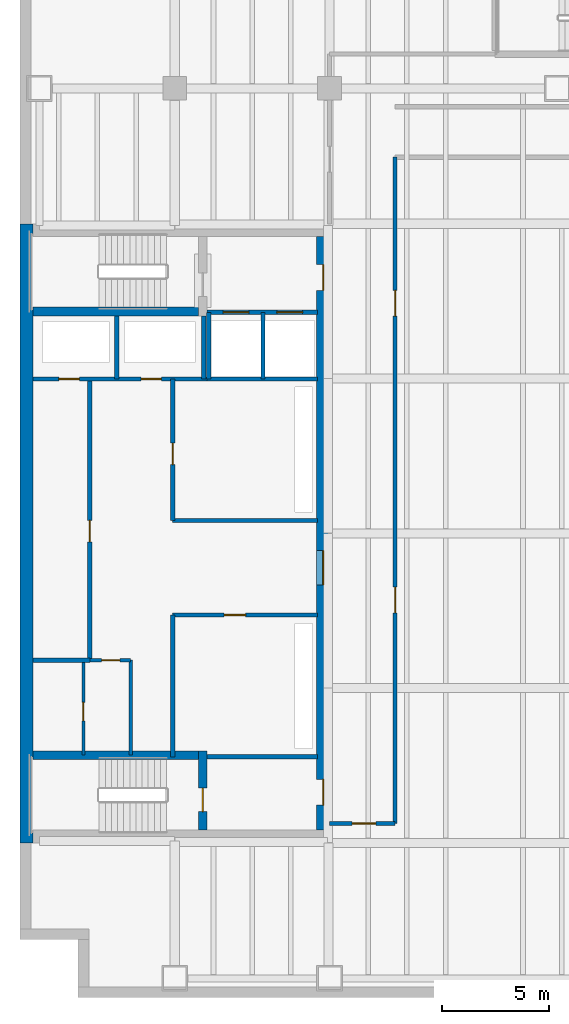
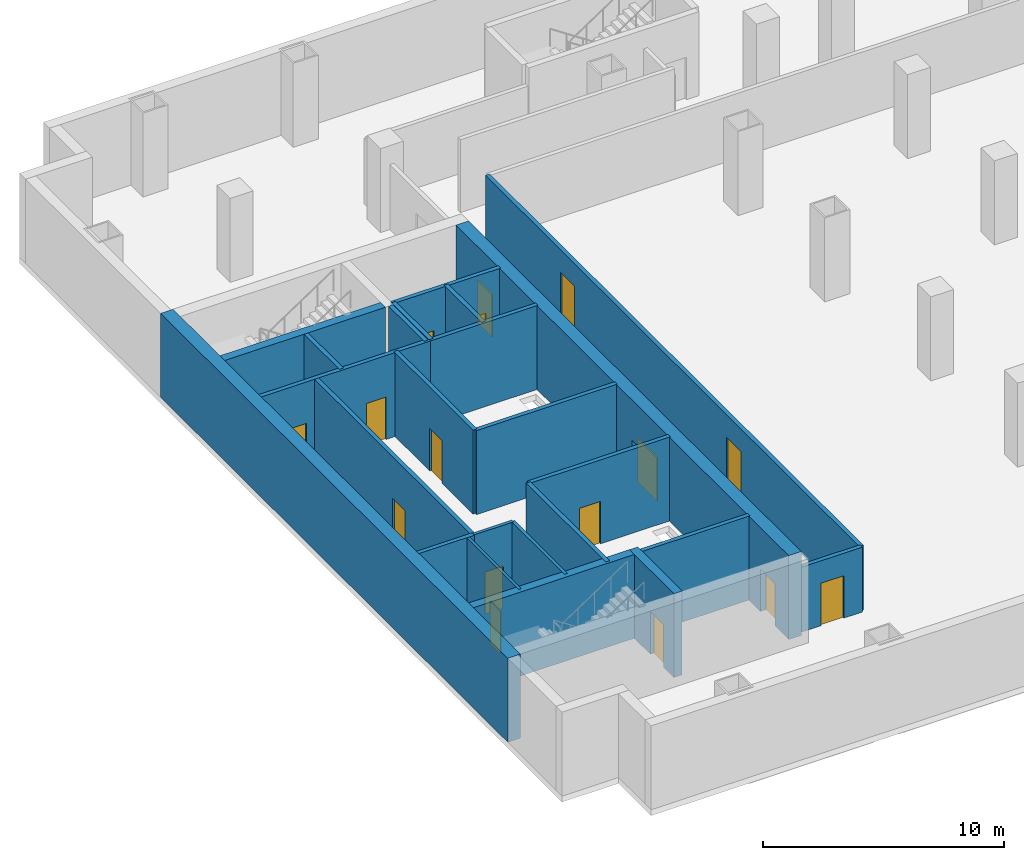
# One storey, part 5 of 11: 24 walls, 16 doors, 16 openings.
"""IFC4 building model written with IfcOpenShell, lengths in metres."""

from ifc_helpers import new_model, si_unit, direction, frame, frame_2d, origin, place, context, subcontext, project, spatial, rectangle, extrude, material, layer, layer_set, type_object, element, fill, save


model = new_model("IFC4")

# Units and contexts
model_context = context("Model", 3, precision=1e-05, world=origin(), true_north=direction((0.0, 1.0)))
body_context = subcontext(model_context, "Body", "Model", "MODEL_VIEW")
ifc_project = project(units=[si_unit("LENGTHUNIT", "METRE"), si_unit("AREAUNIT", "SQUARE_METRE"), si_unit("VOLUMEUNIT", "CUBIC_METRE"), si_unit("PLANEANGLEUNIT", "RADIAN"), si_unit("MASSUNIT", "GRAM", prefix="KILO")], contexts=[model_context])

# Site, building, storey
site_placement = place(None, origin())
site = spatial("IfcSite", under=ifc_project, at=site_placement, CompositionType="ELEMENT")
building_placement = place(site_placement, origin())
building = spatial("IfcBuilding", under=site, at=building_placement, Name="Cobrela Telecom Tower", CompositionType="ELEMENT")
storey_placement = place(building_placement, frame((0.0, 0.0, -4.550048828125)))
storey = spatial("IfcBuildingStorey", under=building, at=storey_placement, Name="B1", CompositionType="ELEMENT", Elevation=-4.550048828125)

# Wall
ifc_material_1 = material(Name="Concrete C50/60", Category="concrete")
ifc_layer_1 = layer(ifc_material_1, 0.60009765625)
ifc_layer_set_1 = layer_set([ifc_layer_1], Name="Concrete C50/60")
wall_type_1 = type_object("IfcWallType", Name="WALL-CORE-C50-600", PredefinedType="SHEAR", material=ifc_layer_set_1)
wall_1_placement = place(storey_placement, frame((0.300048828125, 7.199951171875, 0.0), z_axis=(0.0, 0.0, 1.0), x_axis=(0.0, 1.0, 0.0)))
element("IfcWall", 1, at=wall_1_placement, inside=storey, type_object=wall_type_1, Name="B1 West Core Shear Wall", PredefinedType="SHEAR", context=body_context, shape_type="SweptSolid", body=[
    extrude(rectangle(XDim=28.800048828125, YDim=0.60009765625, at=frame_2d((14.39990234375, 0.0))), origin(), (0.0, 0.0, 1.0), 4.25),
])

# Wall, openings, doors
wall_2_placement = place(storey_placement, frame((14.10009765625, 35.39990234375, 0.0), z_axis=(0.0, 0.0, 1.0), x_axis=(0.0, -1.0, 0.0)))
wall_2 = element("IfcWall", 2, at=wall_2_placement, inside=storey, type_object=wall_type_1, Name="B1 East Core Shear Wall", PredefinedType="SHEAR", context=body_context, shape_type="SweptSolid", body=[
    extrude(rectangle(XDim=27.599853515625, YDim=0.60009765625, at=frame_2d((13.7998046875, 0.0))), origin(), (0.0, 0.0, 1.0), 4.25),
])
opening_1_placement = place(wall_2_placement, frame((1.300048828125, 0.0, 0.0)))
opening_1 = element("IfcOpeningElement", 3, at=opening_1_placement, cuts=wall_2, Name="Opening DR-19", PredefinedType="OPENING", context=body_context, shape_type="SweptSolid", body=[
    extrude(rectangle(XDim=1.199951171875, YDim=2.14990234375, at=frame_2d((0.60009765625, 1.074951171875))), frame((0.0, 0.31201171875, 0.0), z_axis=(0.0, -1.0, 0.0), x_axis=(1.0, 0.0, 0.0)), (0.0, 0.0, 1.0), 0.6240234375),
])
opening_2_placement = place(wall_2_placement, frame((25.25, 0.0, 0.0)))
opening_2 = element("IfcOpeningElement", 4, at=opening_2_placement, cuts=wall_2, Name="Opening DR-19", PredefinedType="OPENING", context=body_context, shape_type="SweptSolid", body=[
    extrude(rectangle(XDim=1.199951171875, YDim=2.14990234375, at=frame_2d((0.60009765625, 1.074951171875))), frame((0.0, 0.31201171875, 0.0), z_axis=(0.0, -1.0, 0.0), x_axis=(1.0, 0.0, 0.0)), (0.0, 0.0, 1.0), 0.6240234375),
])
opening_3_placement = place(wall_2_placement, frame((14.60009765625, 0.0, 0.0)))
opening_3 = element("IfcOpeningElement", 5, at=opening_3_placement, cuts=wall_2, Name="Opening DR-51", PredefinedType="OPENING", context=body_context, shape_type="SweptSolid", body=[
    extrude(rectangle(XDim=1.60009765625, YDim=2.199951171875, at=frame_2d((0.800048828125, 1.10009765625))), frame((0.0, 0.31201171875, 0.0), z_axis=(0.0, -1.0, 0.0), x_axis=(1.0, 0.0, 0.0)), (0.0, 0.0, 1.0), 0.6240234375),
])
ifc_material_2 = material(Name="Steel ASTM A36", Category="steel")
door_type_1 = type_object("IfcDoorType", Name="DOOR-FD60-1200", OperationType="SINGLE_SWING_LEFT", PredefinedType="DOOR", material=ifc_material_2)
door_1_placement = place(opening_1_placement, origin())
door_1 = element("IfcDoor", 6, at=door_1_placement, inside=storey, type_object=door_type_1, Name="B1 Door DR-19", OperationType="SINGLE_SWING_LEFT", OverallHeight=2.14990234375, OverallWidth=1.199951171875, PredefinedType="DOOR", context=body_context, shape_type="SweptSolid", body=[
    extrude(rectangle(XDim=1.199951171875, YDim=2.14990234375, at=frame_2d((0.60009765625, 1.074951171875))), frame((0.0, 0.02490234375, 0.0), z_axis=(0.0, -1.0, 0.0), x_axis=(1.0, 0.0, 0.0)), (0.0, 0.0, 1.0), 0.050048828125),
])
fill(opening_1, door_1)
door_2_placement = place(opening_2_placement, origin())
door_2 = element("IfcDoor", 7, at=door_2_placement, inside=storey, type_object=door_type_1, Name="B1 Door DR-19", OperationType="SINGLE_SWING_RIGHT", OverallHeight=2.14990234375, OverallWidth=1.199951171875, PredefinedType="DOOR", context=body_context, shape_type="SweptSolid", body=[
    extrude(rectangle(XDim=1.199951171875, YDim=2.14990234375, at=frame_2d((0.60009765625, 1.074951171875))), frame((0.0, 0.02490234375, 0.0), z_axis=(0.0, -1.0, 0.0), x_axis=(1.0, 0.0, 0.0)), (0.0, 0.0, 1.0), 0.050048828125),
])
fill(opening_2, door_2)
door_type_2 = type_object("IfcDoorType", Name="DOOR-FD60-1600", OperationType="SINGLE_SWING_LEFT", PredefinedType="DOOR", material=ifc_material_2)
door_3_placement = place(opening_3_placement, origin())
door_3 = element("IfcDoor", 8, at=door_3_placement, inside=storey, type_object=door_type_2, Name="B1 Door DR-51", OperationType="DOUBLE_DOOR_SINGLE_SWING", OverallHeight=2.199951171875, OverallWidth=1.60009765625, PredefinedType="DOOR", context=body_context, shape_type="SweptSolid", body=[
    extrude(rectangle(XDim=1.60009765625, YDim=2.199951171875, at=frame_2d((0.800048828125, 1.10009765625))), frame((0.0, 0.02490234375, 0.0), z_axis=(0.0, -1.0, 0.0), x_axis=(1.0, 0.0, 0.0)), (0.0, 0.0, 1.0), 0.050048828125),
])
fill(opening_3, door_3)

# Wall, opening, door
ifc_material_3 = material(Name="Fire-Rated Gypsum Plasterboard")
ifc_layer_2 = layer(ifc_material_3, 0.125)
ifc_layer_set_2 = layer_set([ifc_layer_2], Name="Fire-Rated Gypsum Plasterboard")
wall_type_2 = type_object("IfcWallType", Name="WALL-PART-125", PredefinedType="PARTITIONING", material=ifc_layer_set_2)
wall_3_placement = place(storey_placement, frame((2.949951171875, 11.280029296875, 0.0), z_axis=(0.0, 0.0, 1.0), x_axis=(0.0, 1.0, 0.0)))
wall_3 = element("IfcWall", 9, at=wall_3_placement, inside=storey, type_object=wall_type_2, Name="B1 Interior Partition CW-FK1-V", PredefinedType="PARTITIONING", context=body_context, shape_type="SweptSolid", body=[
    extrude(rectangle(XDim=4.419921875, YDim=0.125, at=frame_2d((2.2099609375, 0.0))), origin(), (0.0, 0.0, 1.0), 4.25),
])
opening_4_placement = place(wall_3_placement, frame((1.60009765625, 0.0, 0.0)))
opening_4 = element("IfcOpeningElement", 10, at=opening_4_placement, cuts=wall_3, Name="Opening DR-11", PredefinedType="OPENING", context=body_context, shape_type="SweptSolid", body=[
    extrude(rectangle(XDim=0.85009765625, YDim=2.14990234375, at=frame_2d((0.425048828125, 1.074951171875))), frame((0.0, 0.074462890625, 0.0), z_axis=(0.0, -1.0, 0.0), x_axis=(1.0, 0.0, 0.0)), (0.0, 0.0, 1.0), 0.14892578125),
])
ifc_material_4 = material(Name="Solid Engineered Oak Timber", Category="wood")
door_type_3 = type_object("IfcDoorType", Name="DOOR-INT-850", OperationType="SINGLE_SWING_LEFT", PredefinedType="DOOR", material=ifc_material_4)
door_4_placement = place(opening_4_placement, origin())
door_4 = element("IfcDoor", 11, at=door_4_placement, inside=storey, type_object=door_type_3, Name="B1 Door DR-11", OperationType="SINGLE_SWING_RIGHT", OverallHeight=2.14990234375, OverallWidth=0.85009765625, PredefinedType="DOOR", context=body_context, shape_type="SweptSolid", body=[
    extrude(rectangle(XDim=0.85009765625, YDim=2.14990234375, at=frame_2d((0.425048828125, 1.074951171875))), frame((0.0, 0.02490234375, 0.0), z_axis=(0.0, -1.0, 0.0), x_axis=(1.0, 0.0, 0.0)), (0.0, 0.0, 1.0), 0.050048828125),
])
fill(opening_4, door_4)

ifc_layer_3 = layer(ifc_material_3, 0.14990234375)
ifc_layer_set_3 = layer_set([ifc_layer_3], Name="Fire-Rated Gypsum Plasterboard")
wall_type_3 = type_object("IfcWallType", Name="WALL-PART-150", PredefinedType="PARTITIONING", material=ifc_layer_set_3)
wall_4_placement = place(storey_placement, frame((3.25, 15.699951171875, 0.0), z_axis=(0.0, 0.0, 1.0), x_axis=(1.0, 0.0, 0.0)))
wall_4 = element("IfcWall", 12, at=wall_4_placement, inside=storey, type_object=wall_type_3, Name="B1 Interior Partition CW-FLEX-N", PredefinedType="PARTITIONING", context=body_context, shape_type="SweptSolid", body=[
    extrude(rectangle(XDim=1.89990234375, YDim=0.14990234375, at=frame_2d((0.949951171875, 0.0))), origin(), (0.0, 0.0, 1.0), 4.25),
])
opening_5_placement = place(wall_4_placement, frame((0.550048828125, 0.0, 0.0)))
opening_5 = element("IfcOpeningElement", 13, at=opening_5_placement, cuts=wall_4, Name="Opening DR-11", PredefinedType="OPENING", context=body_context, shape_type="SweptSolid", body=[
    extrude(rectangle(XDim=0.85009765625, YDim=2.14990234375, at=frame_2d((0.425048828125, 1.074951171875))), frame((0.0, 0.0869140625, 0.0), z_axis=(0.0, -1.0, 0.0), x_axis=(1.0, 0.0, 0.0)), (0.0, 0.0, 1.0), 0.173828125),
])
door_5_placement = place(opening_5_placement, origin())
door_5 = element("IfcDoor", 14, at=door_5_placement, inside=storey, type_object=door_type_3, Name="B1 Door DR-11", OperationType="SINGLE_SWING_LEFT", OverallHeight=2.14990234375, OverallWidth=0.85009765625, PredefinedType="DOOR", context=body_context, shape_type="SweptSolid", body=[
    extrude(rectangle(XDim=0.85009765625, YDim=2.14990234375, at=frame_2d((0.425048828125, 1.074951171875))), frame((0.0, 0.02490234375, 0.0), z_axis=(0.0, -1.0, 0.0), x_axis=(1.0, 0.0, 0.0)), (0.0, 0.0, 1.0), 0.050048828125),
])
fill(opening_5, door_5)

# Wall
wall_5_placement = place(storey_placement, frame((5.14990234375, 11.280029296875, 0.0), z_axis=(0.0, 0.0, 1.0), x_axis=(0.0, 1.0, 0.0)))
element("IfcWall", 15, at=wall_5_placement, inside=storey, type_object=wall_type_3, Name="B1 Interior Partition CW-FLEX-E", PredefinedType="PARTITIONING", context=body_context, shape_type="SweptSolid", body=[
    extrude(rectangle(XDim=4.419921875, YDim=0.14990234375, at=frame_2d((2.2099609375, 0.0))), origin(), (0.0, 0.0, 1.0), 4.25),
])

# Wall, openings, doors
ifc_layer_4 = layer(ifc_material_3, 0.199951171875)
ifc_layer_set_4 = layer_set([ifc_layer_4], Name="Fire-Rated Gypsum Plasterboard")
wall_type_4 = type_object("IfcWallType", Name="WALL-SHAFT-200", PredefinedType="PARTITIONING", material=ifc_layer_set_4)
wall_6_placement = place(storey_placement, frame((8.699951171875, 31.8798828125, 0.0), z_axis=(0.0, 0.0, 1.0), x_axis=(1.0, 0.0, 0.0)))
wall_6 = element("IfcWall", 16, at=wall_6_placement, inside=storey, type_object=wall_type_4, Name="B1 Shaft Enclosure CW-FFL-S", PredefinedType="PARTITIONING", context=body_context, shape_type="SweptSolid", body=[
    extrude(rectangle(XDim=5.150146484375, YDim=0.199951171875, at=frame_2d((2.5751953125, 0.0))), origin(), (0.0, 0.0, 1.0), 4.25),
])
opening_6_placement = place(wall_6_placement, frame((0.75, 0.0, 0.0)))
opening_6 = element("IfcOpeningElement", 17, at=opening_6_placement, cuts=wall_6, Name="Opening LD-2", PredefinedType="OPENING", context=body_context, shape_type="SweptSolid", body=[
    extrude(rectangle(XDim=1.199951171875, YDim=2.199951171875, at=frame_2d((0.60009765625, 1.10009765625))), frame((0.0, 0.11181640625, 0.0), z_axis=(0.0, -1.0, 0.0), x_axis=(1.0, 0.0, 0.0)), (0.0, 0.0, 1.0), 0.223876953125),
])
opening_7_placement = place(wall_6_placement, frame((3.25, 0.0, 0.0)))
opening_7 = element("IfcOpeningElement", 18, at=opening_7_placement, cuts=wall_6, Name="Opening LD-2", PredefinedType="OPENING", context=body_context, shape_type="SweptSolid", body=[
    extrude(rectangle(XDim=1.199951171875, YDim=2.199951171875, at=frame_2d((0.60009765625, 1.10009765625))), frame((0.0, 0.11181640625, 0.0), z_axis=(0.0, -1.0, 0.0), x_axis=(1.0, 0.0, 0.0)), (0.0, 0.0, 1.0), 0.223876953125),
])
door_type_4 = type_object("IfcDoorType", Name="DOOR-LD-FFL", OperationType="SINGLE_SWING_LEFT", PredefinedType="DOOR", material=ifc_material_2)
door_6_placement = place(opening_6_placement, origin())
door_6 = element("IfcDoor", 19, at=door_6_placement, inside=storey, type_object=door_type_4, Name="B1 Lift Landing Door LD-2", OperationType="DOUBLE_DOOR_SLIDING", OverallHeight=2.199951171875, OverallWidth=1.199951171875, PredefinedType="DOOR", context=body_context, shape_type="SweptSolid", body=[
    extrude(rectangle(XDim=1.199951171875, YDim=2.199951171875, at=frame_2d((0.60009765625, 1.10009765625))), frame((0.0, 0.02490234375, 0.0), z_axis=(0.0, -1.0, 0.0), x_axis=(1.0, 0.0, 0.0)), (0.0, 0.0, 1.0), 0.050048828125),
])
fill(opening_6, door_6)
door_7_placement = place(opening_7_placement, origin())
door_7 = element("IfcDoor", 20, at=door_7_placement, inside=storey, type_object=door_type_4, Name="B1 Lift Landing Door LD-2", OperationType="DOUBLE_DOOR_SLIDING", OverallHeight=2.199951171875, OverallWidth=1.199951171875, PredefinedType="DOOR", context=body_context, shape_type="SweptSolid", body=[
    extrude(rectangle(XDim=1.199951171875, YDim=2.199951171875, at=frame_2d((0.60009765625, 1.10009765625))), frame((0.0, 0.02490234375, 0.0), z_axis=(0.0, -1.0, 0.0), x_axis=(1.0, 0.0, 0.0)), (0.0, 0.0, 1.0), 0.050048828125),
])
fill(opening_7, door_7)

# Walls
for number, where, z_axis, x_axis, name in (
    (21, (8.699951171875, 11.199951171875, 0.0), (0.0, 0.0, 1.0), (1.0, 0.0, 0.0), "B1 Shaft Enclosure CW-ST2L-N"),
    (22, (8.699951171875, 28.780029296875, 0.0), (0.0, 0.0, 1.0), (1.0, 0.0, 0.0), "B1 Shaft Enclosure CW-FFL-S2"),
):
    element("IfcWall", number, at=place(storey_placement, frame(where, z_axis=z_axis, x_axis=x_axis)), inside=storey, type_object=wall_type_4, Name=name, PredefinedType="PARTITIONING", context=body_context, shape_type="SweptSolid", body=[
        extrude(rectangle(XDim=5.150146484375, YDim=0.199951171875, at=frame_2d((2.5751953125, 0.0))), origin(), (0.0, 0.0, 1.0), 4.25),
    ])
for number, where, z_axis, x_axis, name in (
    (23, (8.780029296875, 28.780029296875, 0.0), (0.0, 0.0, 1.0), (0.0, 1.0, 0.0), "B1 Shaft Enclosure CW-FFL-W"),
    (24, (11.300048828125, 28.780029296875, 0.0), (0.0, 0.0, 1.0), (0.0, 1.0, 0.0), "B1 Shaft Enclosure CW-FFL-M"),
):
    element("IfcWall", number, at=place(storey_placement, frame(where, z_axis=z_axis, x_axis=x_axis)), inside=storey, type_object=wall_type_4, Name=name, PredefinedType="PARTITIONING", context=body_context, shape_type="SweptSolid", body=[
        extrude(rectangle(XDim=3.099853515625, YDim=0.199951171875, at=frame_2d((1.5498046875, 0.0))), origin(), (0.0, 0.0, 1.0), 4.25),
    ])

# Wall, openings, doors
wall_7_placement = place(storey_placement, frame((0.60009765625, 28.780029296875, 0.0), z_axis=(0.0, 0.0, 1.0), x_axis=(1.0, 0.0, 0.0)))
wall_7 = element("IfcWall", 25, at=wall_7_placement, inside=storey, type_object=wall_type_4, Name="B1 Shaft Enclosure CW-RIS-S", PredefinedType="PARTITIONING", context=body_context, shape_type="SweptSolid", body=[
    extrude(rectangle(XDim=8.179931640625, YDim=0.199951171875, at=frame_2d((4.08984375, 0.0))), origin(), (0.0, 0.0, 1.0), 4.25),
])
opening_8_placement = place(wall_7_placement, frame((1.2099609375, 0.0, 0.0)))
opening_8 = element("IfcOpeningElement", 26, at=opening_8_placement, cuts=wall_7, Name="Opening DR-65", PredefinedType="OPENING", context=body_context, shape_type="SweptSolid", body=[
    extrude(rectangle(XDim=0.949951171875, YDim=2.14990234375, at=frame_2d((0.47509765625, 1.074951171875))), frame((0.0, 0.11181640625, 0.0), z_axis=(0.0, -1.0, 0.0), x_axis=(1.0, 0.0, 0.0)), (0.0, 0.0, 1.0), 0.223876953125),
])
opening_9_placement = place(wall_7_placement, frame((5.030029296875, 0.0, 0.0)))
opening_9 = element("IfcOpeningElement", 27, at=opening_9_placement, cuts=wall_7, Name="Opening DR-65", PredefinedType="OPENING", context=body_context, shape_type="SweptSolid", body=[
    extrude(rectangle(XDim=0.949951171875, YDim=2.14990234375, at=frame_2d((0.47509765625, 1.074951171875))), frame((0.0, 0.11181640625, 0.0), z_axis=(0.0, -1.0, 0.0), x_axis=(1.0, 0.0, 0.0)), (0.0, 0.0, 1.0), 0.223876953125),
])
door_type_5 = type_object("IfcDoorType", Name="DOOR-FD60-950", OperationType="SINGLE_SWING_LEFT", PredefinedType="DOOR", material=ifc_material_2)
door_8_placement = place(opening_8_placement, origin())
door_8 = element("IfcDoor", 28, at=door_8_placement, inside=storey, type_object=door_type_5, Name="B1 Door DR-65", OperationType="SINGLE_SWING_LEFT", OverallHeight=2.14990234375, OverallWidth=0.949951171875, PredefinedType="DOOR", context=body_context, shape_type="SweptSolid", body=[
    extrude(rectangle(XDim=0.949951171875, YDim=2.14990234375, at=frame_2d((0.47509765625, 1.074951171875))), frame((0.0, 0.02490234375, 0.0), z_axis=(0.0, -1.0, 0.0), x_axis=(1.0, 0.0, 0.0)), (0.0, 0.0, 1.0), 0.050048828125),
])
fill(opening_8, door_8)
door_9_placement = place(opening_9_placement, origin())
door_9 = element("IfcDoor", 29, at=door_9_placement, inside=storey, type_object=door_type_5, Name="B1 Door DR-65", OperationType="SINGLE_SWING_RIGHT", OverallHeight=2.14990234375, OverallWidth=0.949951171875, PredefinedType="DOOR", context=body_context, shape_type="SweptSolid", body=[
    extrude(rectangle(XDim=0.949951171875, YDim=2.14990234375, at=frame_2d((0.47509765625, 1.074951171875))), frame((0.0, 0.02490234375, 0.0), z_axis=(0.0, -1.0, 0.0), x_axis=(1.0, 0.0, 0.0)), (0.0, 0.0, 1.0), 0.050048828125),
])
fill(opening_9, door_9)

# Walls
for number, where, z_axis, x_axis, name in (
    (30, (4.5, 28.780029296875, 0.0), (0.0, 0.0, 1.0), (0.0, 1.0, 0.0), "B1 Shaft Enclosure CW-RIS-M"),
    (31, (8.550048828125, 28.780029296875, 0.0), (0.0, 0.0, 1.0), (0.0, 1.0, 0.0), "B1 Shaft Enclosure CW-RIS-E"),
):
    element("IfcWall", number, at=place(storey_placement, frame(where, z_axis=z_axis, x_axis=x_axis)), inside=storey, type_object=wall_type_4, Name=name, PredefinedType="PARTITIONING", context=body_context, shape_type="SweptSolid", body=[
        extrude(rectangle(XDim=2.93994140625, YDim=0.199951171875, at=frame_2d((1.469970703125, 0.0))), origin(), (0.0, 0.0, 1.0), 4.25),
    ])

# Wall, opening, door
wall_8_placement = place(storey_placement, frame((3.25, 15.699951171875, 0.0), z_axis=(0.0, 0.0, 1.0), x_axis=(0.0, 1.0, 0.0)))
wall_8 = element("IfcWall", 32, at=wall_8_placement, inside=storey, type_object=wall_type_4, Name="B1 Shaft Enclosure CW-PLH-E", PredefinedType="PARTITIONING", context=body_context, shape_type="SweptSolid", body=[
    extrude(rectangle(XDim=13.080078125, YDim=0.199951171875, at=frame_2d((6.5400390625, 0.0))), origin(), (0.0, 0.0, 1.0), 4.25),
])
opening_10_placement = place(wall_8_placement, frame((5.5, 0.0, 0.0)))
opening_10 = element("IfcOpeningElement", 33, at=opening_10_placement, cuts=wall_8, Name="Opening DR-15", PredefinedType="OPENING", context=body_context, shape_type="SweptSolid", body=[
    extrude(rectangle(XDim=1.0, YDim=2.14990234375, at=frame_2d((0.5, 1.074951171875))), frame((0.0, 0.11181640625, 0.0), z_axis=(0.0, -1.0, 0.0), x_axis=(1.0, 0.0, 0.0)), (0.0, 0.0, 1.0), 0.223876953125),
])
door_type_6 = type_object("IfcDoorType", Name="DOOR-FD60-1000", OperationType="SINGLE_SWING_LEFT", PredefinedType="DOOR", material=ifc_material_2)
door_10_placement = place(opening_10_placement, origin())
door_10 = element("IfcDoor", 34, at=door_10_placement, inside=storey, type_object=door_type_6, Name="B1 Door DR-15", OperationType="SINGLE_SWING_RIGHT", OverallHeight=2.14990234375, OverallWidth=1.0, PredefinedType="DOOR", context=body_context, shape_type="SweptSolid", body=[
    extrude(rectangle(XDim=1.0, YDim=2.14990234375, at=frame_2d((0.5, 1.074951171875))), frame((0.0, 0.02490234375, 0.0), z_axis=(0.0, -1.0, 0.0), x_axis=(1.0, 0.0, 0.0)), (0.0, 0.0, 1.0), 0.050048828125),
])
fill(opening_10, door_10)

# Wall
wall_9_placement = place(storey_placement, frame((0.60009765625, 15.699951171875, 0.0), z_axis=(0.0, 0.0, 1.0), x_axis=(1.0, 0.0, 0.0)))
element("IfcWall", 35, at=wall_9_placement, inside=storey, type_object=wall_type_4, Name="B1 Shaft Enclosure CW-PLH-BS", PredefinedType="PARTITIONING", context=body_context, shape_type="SweptSolid", body=[
    extrude(rectangle(XDim=2.64990234375, YDim=0.199951171875, at=frame_2d((1.324951171875, 0.0))), origin(), (0.0, 0.0, 1.0), 4.25),
])

# Wall, opening, door
wall_10_placement = place(storey_placement, frame((7.10009765625, 22.199951171875, 0.0), z_axis=(0.0, 0.0, 1.0), x_axis=(0.0, 1.0, 0.0)))
wall_10 = element("IfcWall", 36, at=wall_10_placement, inside=storey, type_object=wall_type_4, Name="B1 Shaft Enclosure CW-PLL-W", PredefinedType="PARTITIONING", context=body_context, shape_type="SweptSolid", body=[
    extrude(rectangle(XDim=6.580078125, YDim=0.199951171875, at=frame_2d((3.2900390625, 0.0))), origin(), (0.0, 0.0, 1.0), 4.25),
])
opening_11_placement = place(wall_10_placement, frame((2.60009765625, 0.0, 0.0)))
opening_11 = element("IfcOpeningElement", 37, at=opening_11_placement, cuts=wall_10, Name="Opening DR-15", PredefinedType="OPENING", context=body_context, shape_type="SweptSolid", body=[
    extrude(rectangle(XDim=1.0, YDim=2.14990234375, at=frame_2d((0.5, 1.074951171875))), frame((0.0, 0.11181640625, 0.0), z_axis=(0.0, -1.0, 0.0), x_axis=(1.0, 0.0, 0.0)), (0.0, 0.0, 1.0), 0.223876953125),
])
door_11_placement = place(opening_11_placement, origin())
door_11 = element("IfcDoor", 38, at=door_11_placement, inside=storey, type_object=door_type_6, Name="B1 Door DR-15", OperationType="SINGLE_SWING_RIGHT", OverallHeight=2.14990234375, OverallWidth=1.0, PredefinedType="DOOR", context=body_context, shape_type="SweptSolid", body=[
    extrude(rectangle(XDim=1.0, YDim=2.14990234375, at=frame_2d((0.5, 1.074951171875))), frame((0.0, 0.02490234375, 0.0), z_axis=(0.0, -1.0, 0.0), x_axis=(1.0, 0.0, 0.0)), (0.0, 0.0, 1.0), 0.050048828125),
])
fill(opening_11, door_11)

# Wall
wall_11_placement = place(storey_placement, frame((7.10009765625, 22.199951171875, 0.0), z_axis=(0.0, 0.0, 1.0), x_axis=(1.0, 0.0, 0.0)))
element("IfcWall", 39, at=wall_11_placement, inside=storey, type_object=wall_type_4, Name="B1 Shaft Enclosure CW-PLL-BS", PredefinedType="PARTITIONING", context=body_context, shape_type="SweptSolid", body=[
    extrude(rectangle(XDim=6.75, YDim=0.199951171875, at=frame_2d((3.375, 0.0))), origin(), (0.0, 0.0, 1.0), 4.25),
])

# Wall, opening, door
wall_12_placement = place(storey_placement, frame((7.10009765625, 17.800048828125, 0.0), z_axis=(0.0, 0.0, 1.0), x_axis=(1.0, 0.0, 0.0)))
wall_12 = element("IfcWall", 40, at=wall_12_placement, inside=storey, type_object=wall_type_4, Name="B1 Shaft Enclosure CW-PLM-N", PredefinedType="PARTITIONING", context=body_context, shape_type="SweptSolid", body=[
    extrude(rectangle(XDim=6.75, YDim=0.199951171875, at=frame_2d((3.375, 0.0))), origin(), (0.0, 0.0, 1.0), 4.25),
])
opening_12_placement = place(wall_12_placement, frame((2.39990234375, 0.0, 0.0)))
opening_12 = element("IfcOpeningElement", 41, at=opening_12_placement, cuts=wall_12, Name="Opening DR-15", PredefinedType="OPENING", context=body_context, shape_type="SweptSolid", body=[
    extrude(rectangle(XDim=1.0, YDim=2.14990234375, at=frame_2d((0.5, 1.074951171875))), frame((0.0, 0.11181640625, 0.0), z_axis=(0.0, -1.0, 0.0), x_axis=(1.0, 0.0, 0.0)), (0.0, 0.0, 1.0), 0.223876953125),
])
door_12_placement = place(opening_12_placement, origin())
door_12 = element("IfcDoor", 42, at=door_12_placement, inside=storey, type_object=door_type_6, Name="B1 Door DR-15", OperationType="SINGLE_SWING_LEFT", OverallHeight=2.14990234375, OverallWidth=1.0, PredefinedType="DOOR", context=body_context, shape_type="SweptSolid", body=[
    extrude(rectangle(XDim=1.0, YDim=2.14990234375, at=frame_2d((0.5, 1.074951171875))), frame((0.0, 0.02490234375, 0.0), z_axis=(0.0, -1.0, 0.0), x_axis=(1.0, 0.0, 0.0)), (0.0, 0.0, 1.0), 0.050048828125),
])
fill(opening_12, door_12)

# Wall
wall_13_placement = place(storey_placement, frame((7.10009765625, 11.199951171875, 0.0), z_axis=(0.0, 0.0, 1.0), x_axis=(0.0, 1.0, 0.0)))
element("IfcWall", 43, at=wall_13_placement, inside=storey, type_object=wall_type_4, Name="B1 Shaft Enclosure CW-PLM-W", PredefinedType="PARTITIONING", context=body_context, shape_type="SweptSolid", body=[
    extrude(rectangle(XDim=6.60009765625, YDim=0.199951171875, at=frame_2d((3.300048828125, 0.0))), origin(), (0.0, 0.0, 1.0), 4.25),
])

# Wall, openings, doors
wall_14_placement = place(storey_placement, frame((17.449951171875, 8.10009765625, 0.0), z_axis=(0.0, 0.0, 1.0), x_axis=(0.0, 1.0, 0.0)))
wall_14 = element("IfcWall", 44, at=wall_14_placement, inside=storey, type_object=wall_type_4, Name="B1 Shaft Enclosure W-B1V-E", PredefinedType="PARTITIONING", context=body_context, shape_type="SweptSolid", body=[
    extrude(rectangle(XDim=31.0, YDim=0.199951171875, at=frame_2d((15.5, 0.0))), origin(), (0.0, 0.0, 1.0), 3.2880859375),
])
opening_13_placement = place(wall_14_placement, frame((9.800048828125, 0.0, 0.0)))
opening_13 = element("IfcOpeningElement", 45, at=opening_13_placement, cuts=wall_14, Name="Opening DR-19", PredefinedType="OPENING", context=body_context, shape_type="SweptSolid", body=[
    extrude(rectangle(XDim=1.199951171875, YDim=2.14990234375, at=frame_2d((0.60009765625, 1.074951171875))), frame((0.0, 0.11181640625, 0.0), z_axis=(0.0, -1.0, 0.0), x_axis=(1.0, 0.0, 0.0)), (0.0, 0.0, 1.0), 0.223876953125),
])
opening_14_placement = place(wall_14_placement, frame((23.60009765625, 0.0, 0.0)))
opening_14 = element("IfcOpeningElement", 46, at=opening_14_placement, cuts=wall_14, Name="Opening DR-19", PredefinedType="OPENING", context=body_context, shape_type="SweptSolid", body=[
    extrude(rectangle(XDim=1.199951171875, YDim=2.14990234375, at=frame_2d((0.60009765625, 1.074951171875))), frame((0.0, 0.11181640625, 0.0), z_axis=(0.0, -1.0, 0.0), x_axis=(1.0, 0.0, 0.0)), (0.0, 0.0, 1.0), 0.223876953125),
])
door_13_placement = place(opening_13_placement, origin())
door_13 = element("IfcDoor", 47, at=door_13_placement, inside=storey, type_object=door_type_1, Name="B1 Door DR-19", OperationType="SINGLE_SWING_LEFT", OverallHeight=2.14990234375, OverallWidth=1.199951171875, PredefinedType="DOOR", context=body_context, shape_type="SweptSolid", body=[
    extrude(rectangle(XDim=1.199951171875, YDim=2.14990234375, at=frame_2d((0.60009765625, 1.074951171875))), frame((0.0, 0.02490234375, 0.0), z_axis=(0.0, -1.0, 0.0), x_axis=(1.0, 0.0, 0.0)), (0.0, 0.0, 1.0), 0.050048828125),
])
fill(opening_13, door_13)
door_14_placement = place(opening_14_placement, origin())
door_14 = element("IfcDoor", 48, at=door_14_placement, inside=storey, type_object=door_type_1, Name="B1 Door DR-19", OperationType="SINGLE_SWING_RIGHT", OverallHeight=2.14990234375, OverallWidth=1.199951171875, PredefinedType="DOOR", context=body_context, shape_type="SweptSolid", body=[
    extrude(rectangle(XDim=1.199951171875, YDim=2.14990234375, at=frame_2d((0.60009765625, 1.074951171875))), frame((0.0, 0.02490234375, 0.0), z_axis=(0.0, -1.0, 0.0), x_axis=(1.0, 0.0, 0.0)), (0.0, 0.0, 1.0), 0.050048828125),
])
fill(opening_14, door_14)

# Wall, opening, door
wall_15_placement = place(storey_placement, frame((14.39990234375, 8.10009765625, 0.0), z_axis=(0.0, 0.0, 1.0), x_axis=(1.0, 0.0, 0.0)))
wall_15 = element("IfcWall", 49, at=wall_15_placement, inside=storey, type_object=wall_type_4, Name="B1 Shaft Enclosure W-B1V-S", PredefinedType="PARTITIONING", context=body_context, shape_type="SweptSolid", body=[
    extrude(rectangle(XDim=3.050048828125, YDim=0.199951171875, at=frame_2d((1.52490234375, 0.0))), origin(), (0.0, 0.0, 1.0), 3.2880859375),
])
opening_15_placement = place(wall_15_placement, frame((1.050048828125, 0.0, 0.0)))
opening_15 = element("IfcOpeningElement", 50, at=opening_15_placement, cuts=wall_15, Name="Opening DR-59", PredefinedType="OPENING", context=body_context, shape_type="SweptSolid", body=[
    extrude(rectangle(XDim=1.10009765625, YDim=2.14990234375, at=frame_2d((0.550048828125, 1.074951171875))), frame((0.0, 0.11181640625, 0.0), z_axis=(0.0, -1.0, 0.0), x_axis=(1.0, 0.0, 0.0)), (0.0, 0.0, 1.0), 0.223876953125),
])
door_type_7 = type_object("IfcDoorType", Name="DOOR-FD60-1100", OperationType="SINGLE_SWING_LEFT", PredefinedType="DOOR", material=ifc_material_2)
door_15_placement = place(opening_15_placement, origin())
door_15 = element("IfcDoor", 51, at=door_15_placement, inside=storey, type_object=door_type_7, Name="B1 Door DR-59", OperationType="SINGLE_SWING_RIGHT", OverallHeight=2.14990234375, OverallWidth=1.10009765625, PredefinedType="DOOR", context=body_context, shape_type="SweptSolid", body=[
    extrude(rectangle(XDim=1.10009765625, YDim=2.14990234375, at=frame_2d((0.550048828125, 1.074951171875))), frame((0.0, 0.02490234375, 0.0), z_axis=(0.0, -1.0, 0.0), x_axis=(1.0, 0.0, 0.0)), (0.0, 0.0, 1.0), 0.050048828125),
])
fill(opening_15, door_15)

# Walls
ifc_material_5 = material(Name="Concrete C40/50", Category="concrete")
ifc_layer_5 = layer(ifc_material_5, 0.39990234375)
ifc_layer_set_5 = layer_set([ifc_layer_5], Name="Concrete C40/50")
wall_type_5 = type_object("IfcWallType", Name="WALL-SHAFT-C40-400", PredefinedType="SHEAR", material=ifc_layer_set_5)
for number, where, z_axis, x_axis, name in (
    (52, (0.60009765625, 31.919921875, 0.0), (0.0, 0.0, 1.0), (1.0, 0.0, 0.0), "B1 North Stair Shear Wall"),
    (53, (0.60009765625, 11.280029296875, 0.0), (0.0, 0.0, 1.0), (1.0, 0.0, 0.0), "B1 South Stair Shear Wall"),
):
    element("IfcWall", number, at=place(storey_placement, frame(where, z_axis=z_axis, x_axis=x_axis)), inside=storey, type_object=wall_type_5, Name=name, PredefinedType="SHEAR", context=body_context, shape_type="SweptSolid", body=[
        extrude(rectangle(XDim=7.699951171875, YDim=0.39990234375, at=frame_2d((3.85009765625, 0.0))), origin(), (0.0, 0.0, 1.0), 4.25),
    ])

# Wall, opening, door
wall_16_placement = place(storey_placement, frame((8.5, 7.800048828125, 0.0), z_axis=(0.0, 0.0, 1.0), x_axis=(0.0, 1.0, 0.0)))
wall_16 = element("IfcWall", 54, at=wall_16_placement, inside=storey, type_object=wall_type_5, Name="B1 South Stair Lobby Shear Wall", PredefinedType="SHEAR", context=body_context, shape_type="SweptSolid", body=[
    extrude(rectangle(XDim=3.679931640625, YDim=0.39990234375, at=frame_2d((1.83984375, 0.0))), origin(), (0.0, 0.0, 1.0), 4.25),
])
opening_16_placement = place(wall_16_placement, frame((0.85009765625, 0.0, 0.0)))
opening_16 = element("IfcOpeningElement", 55, at=opening_16_placement, cuts=wall_16, Name="Opening FD-90", PredefinedType="OPENING", context=body_context, shape_type="SweptSolid", body=[
    extrude(rectangle(XDim=1.10009765625, YDim=2.14990234375, at=frame_2d((0.550048828125, 1.074951171875))), frame((0.0, 0.2119140625, 0.0), z_axis=(0.0, -1.0, 0.0), x_axis=(1.0, 0.0, 0.0)), (0.0, 0.0, 1.0), 0.423828125),
])
door_type_8 = type_object("IfcDoorType", Name="DOOR-FD90-1100", OperationType="SINGLE_SWING_LEFT", PredefinedType="DOOR", material=ifc_material_2)
door_16_placement = place(opening_16_placement, origin())
door_16 = element("IfcDoor", 56, at=door_16_placement, inside=storey, type_object=door_type_8, Name="B1 Door FD-90", OperationType="SINGLE_SWING_LEFT", OverallHeight=2.14990234375, OverallWidth=1.10009765625, PredefinedType="DOOR", context=body_context, shape_type="SweptSolid", body=[
    extrude(rectangle(XDim=1.10009765625, YDim=2.14990234375, at=frame_2d((0.550048828125, 1.074951171875))), frame((0.0, 0.02490234375, 0.0), z_axis=(0.0, -1.0, 0.0), x_axis=(1.0, 0.0, 0.0)), (0.0, 0.0, 1.0), 0.050048828125),
])
fill(opening_16, door_16)

save(model, "model.ifc")
